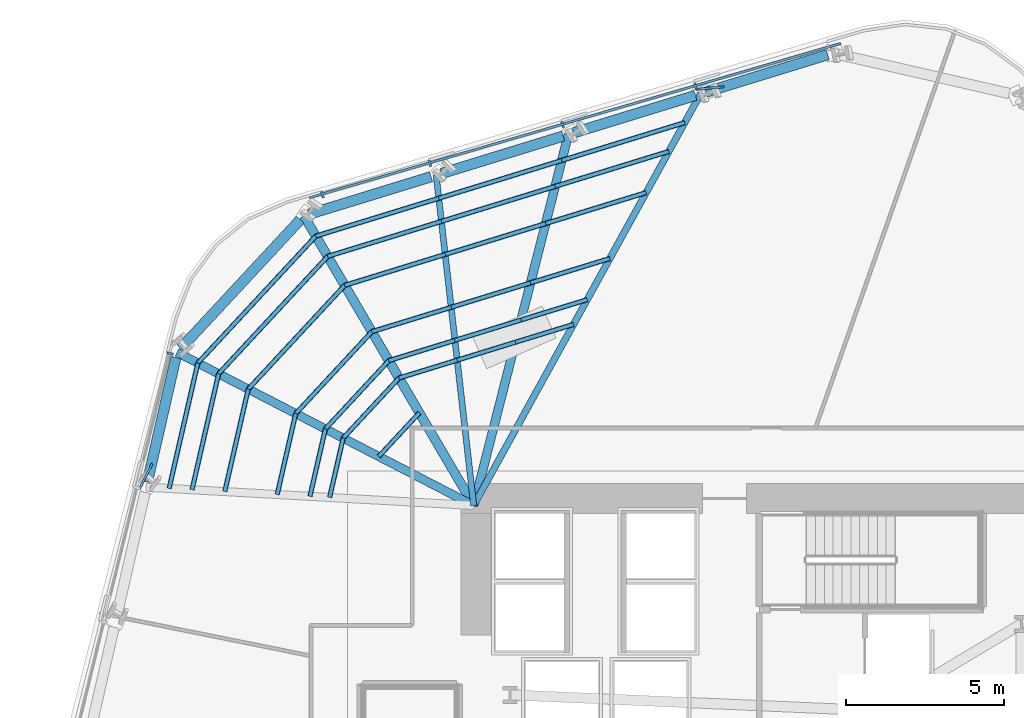
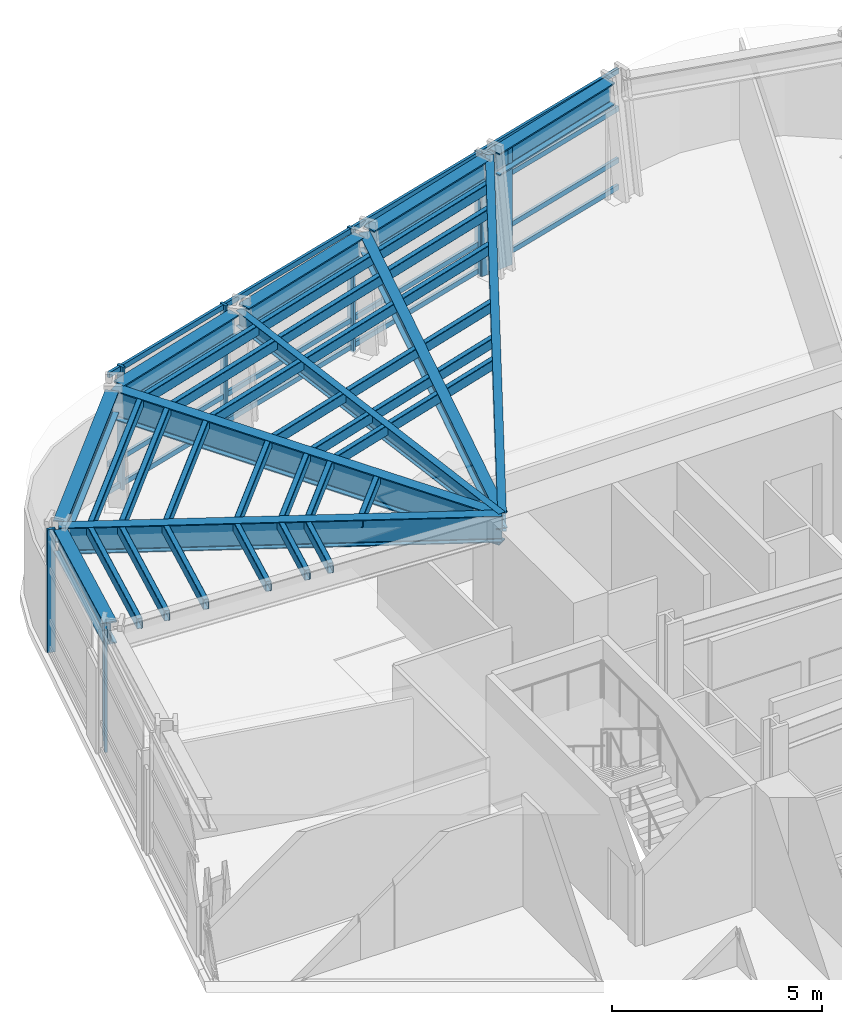
# One storey, part 5 of 15: 42 members, 11 beams, 2 elements without a shape of their own.
"""IFC4 building model written with IfcOpenShell, lengths in metres."""

from ifc_helpers import new_model, si_unit, direction, frame, origin, origin_2d, place, context, subcontext, project, spatial, rectangle, hollow_rectangle, i_section, extrude, material, layer, layer_set, material_profile, profile_set, type_object, element, aggregate, save


model = new_model("IFC4")

# Units and contexts
model_context = context("Model", 3, precision=1e-05, world=origin(), true_north=direction((0.0, 1.0)))
body_context = subcontext(model_context, "Body", "Model", "MODEL_VIEW")
ifc_project = project(units=[si_unit("LENGTHUNIT", "METRE"), si_unit("AREAUNIT", "SQUARE_METRE"), si_unit("VOLUMEUNIT", "CUBIC_METRE"), si_unit("PLANEANGLEUNIT", "RADIAN"), si_unit("MASSUNIT", "GRAM", prefix="KILO")], contexts=[model_context])

# Site, building, storey
site_placement = place(None, origin())
site = spatial("IfcSite", under=ifc_project, at=site_placement, CompositionType="ELEMENT")
building_placement = place(site_placement, origin())
building = spatial("IfcBuilding", under=site, at=building_placement, Name="Valkerne Bourse Tower", CompositionType="ELEMENT")
storey_placement = place(building_placement, frame((0.0, 0.0, 93.39990234375)))
storey = spatial("IfcBuildingStorey", under=building, at=storey_placement, Name="L23", CompositionType="ELEMENT", Elevation=93.39990234375)

# Beams
ifc_material_1 = material(Name="Steel ASTM A992", Category="steel")
ifc_material_profile_1 = material_profile(ifc_material_1, i_section(OverallWidth=0.1904296875, OverallDepth=0.457275390625, WebThickness=0.009033203125, FlangeThickness=0.014404296875, FilletRadius=0.01513671875, at=origin_2d()), Name="W18X50")
ifc_profile_set_1 = profile_set([ifc_material_profile_1], Name="Steel ASTM A992")
beam_type_1 = type_object("IfcBeamType", Name="BM-W18X50", PredefinedType="JOIST", material=ifc_profile_set_1)
beam_1_placement = place(storey_placement, frame((36.41015625, 45.86669921875, 3.3515625), z_axis=(0.112959608982, -0.993599580686, 0.0), x_axis=(0.993599580686, 0.112959608982, 0.0)))
element("IfcBeam", 1, at=beam_1_placement, inside=storey, type_object=beam_type_1, Name="L23 Radial Composite Floor Beam 08", PredefinedType="JOIST", context=body_context, shape_type="SweptSolid", body=[
    extrude(i_section(OverallWidth=0.1904296875, OverallDepth=0.457275390625, WebThickness=0.009033203125, FlangeThickness=0.014404296875, FilletRadius=0.01513671875, at=origin_2d()), origin(), (0.0, 0.0, 1.0), 10.5341796875),
])
ifc_material_profile_2 = material_profile(ifc_material_1, i_section(OverallWidth=0.279296875, OverallDepth=0.46240234375, WebThickness=0.0107421875, FlangeThickness=0.017333984375, FilletRadius=0.017822265625, at=origin_2d()), Name="W18X76")
ifc_profile_set_2 = profile_set([ifc_material_profile_2], Name="Steel ASTM A992")
beam_type_2 = type_object("IfcBeamType", Name="BM-W18X76", PredefinedType="BEAM", material=ifc_profile_set_2)
beam_2_placement = place(storey_placement, frame((40.599365234375, 47.155517578125, 3.348876953125), z_axis=(-0.247215626617, -0.968960491432, 0.0), x_axis=(0.968960491432, -0.247215626617, 0.0)))
element("IfcBeam", 2, at=beam_2_placement, inside=storey, type_object=beam_type_2, Name="L23 Radial Composite Floor Beam 07", PredefinedType="BEAM", context=body_context, shape_type="SweptSolid", body=[
    extrude(i_section(OverallWidth=0.279296875, OverallDepth=0.46240234375, WebThickness=0.0107421875, FlangeThickness=0.017333984375, FilletRadius=0.017822265625, at=origin_2d()), origin(), (0.0, 0.0, 1.0), 12.132080078125),
])
ifc_material_profile_3 = material_profile(ifc_material_1, i_section(OverallWidth=0.209228515625, OverallDepth=0.533447265625, WebThickness=0.01025390625, FlangeThickness=0.015625, FilletRadius=0.017822265625, at=origin_2d()), Name="W21X62")
ifc_profile_set_3 = profile_set([ifc_material_profile_3], Name="Steel ASTM A992")
beam_type_3 = type_object("IfcBeamType", Name="BM-W21X62", PredefinedType="JOIST", material=ifc_profile_set_3)
beam_3_placement = place(storey_placement, frame((44.78857421875, 48.4443359375, 3.3134765625), z_axis=(-0.482642218841, -0.875817611488, 0.0), x_axis=(0.875817611488, -0.482642218841, 0.0)))
element("IfcBeam", 3, at=beam_3_placement, inside=storey, type_object=beam_type_3, Name="L23 Radial Composite Floor Beam 06", PredefinedType="JOIST", context=body_context, shape_type="SweptSolid", body=[
    extrude(i_section(OverallWidth=0.209228515625, OverallDepth=0.533447265625, WebThickness=0.01025390625, FlangeThickness=0.015625, FilletRadius=0.017822265625, at=origin_2d()), origin(), (0.0, 0.0, 1.0), 14.89404296875),
])
ifc_material_profile_4 = material_profile(ifc_material_1, i_section(OverallWidth=0.330078125, OverallDepth=0.647705078125, WebThickness=0.0205078125, FlangeThickness=0.037109375, FilletRadius=0.020263671875, at=origin_2d()), Name="W24X192")
ifc_profile_set_4 = profile_set([ifc_material_profile_4], Name="Steel ASTM A992")
beam_type_4 = type_object("IfcBeamType", Name="BM-W24X192", PredefinedType="SPANDREL", material=ifc_profile_set_4)
beam_4_placement = place(storey_placement, frame((48.815185546875, 49.68310546875, 3.25634765625), z_axis=(-0.955793370622, -0.294039168608, 0.0), x_axis=(0.294039168608, -0.955793370622, 0.0)))
element("IfcBeam", 4, at=beam_4_placement, inside=storey, type_object=beam_type_4, Name="L23 Hexagonal Spandrel Ring Beam 05", PredefinedType="SPANDREL", context=body_context, shape_type="SweptSolid", body=[
    extrude(i_section(OverallWidth=0.330078125, OverallDepth=0.647705078125, WebThickness=0.0205078125, FlangeThickness=0.037109375, FilletRadius=0.020263671875, at=origin_2d()), origin(), (0.0, 0.0, 1.0), 4.042724609375),
])
beam_5_placement = place(storey_placement, frame((44.626220703125, 48.394287109375, 3.25634765625), z_axis=(-0.955798591435, -0.294022197479, 0.0), x_axis=(0.294022197479, -0.955798591435, 0.0)))
element("IfcBeam", 5, at=beam_5_placement, inside=storey, type_object=beam_type_4, Name="L23 Hexagonal Spandrel Ring Beam 06", PredefinedType="SPANDREL", context=body_context, shape_type="SweptSolid", body=[
    extrude(i_section(OverallWidth=0.330078125, OverallDepth=0.647705078125, WebThickness=0.0205078125, FlangeThickness=0.037109375, FilletRadius=0.020263671875, at=origin_2d()), origin(), (0.0, 0.0, 1.0), 4.04296875),
])
beam_6_placement = place(storey_placement, frame((40.43701171875, 47.10546875, 3.25634765625), z_axis=(-0.955803811345, -0.294005228216, 0.0), x_axis=(0.294005228216, -0.955803811345, 0.0)))
element("IfcBeam", 6, at=beam_6_placement, inside=storey, type_object=beam_type_4, Name="L23 Hexagonal Spandrel Ring Beam 07", PredefinedType="SPANDREL", context=body_context, shape_type="SweptSolid", body=[
    extrude(i_section(OverallWidth=0.330078125, OverallDepth=0.647705078125, WebThickness=0.0205078125, FlangeThickness=0.037109375, FilletRadius=0.020263671875, at=origin_2d()), origin(), (0.0, 0.0, 1.0), 4.043212890625),
])
beam_7_placement = place(storey_placement, frame((36.24755859375, 45.816650390625, 3.25634765625), z_axis=(-0.955798591435, -0.294022197479, 0.0), x_axis=(0.294022197479, -0.955798591435, 0.0)))
element("IfcBeam", 7, at=beam_7_placement, inside=storey, type_object=beam_type_4, Name="L23 Hexagonal Spandrel Ring Beam 08", PredefinedType="SPANDREL", context=body_context, shape_type="SweptSolid", body=[
    extrude(i_section(OverallWidth=0.330078125, OverallDepth=0.647705078125, WebThickness=0.0205078125, FlangeThickness=0.037109375, FilletRadius=0.020263671875, at=origin_2d()), origin(), (0.0, 0.0, 1.0), 4.04296875),
])
beam_8_placement = place(storey_placement, frame((32.105224609375, 44.453369140625, 3.25634765625), z_axis=(-0.680747222572, -0.732518408615, 0.0), x_axis=(0.732518408615, -0.680747222572, 0.0)))
element("IfcBeam", 8, at=beam_8_placement, inside=storey, type_object=beam_type_4, Name="L23 Hexagonal Spandrel Ring Beam 09", PredefinedType="SPANDREL", context=body_context, shape_type="SweptSolid", body=[
    extrude(i_section(OverallWidth=0.330078125, OverallDepth=0.647705078125, WebThickness=0.0205078125, FlangeThickness=0.037109375, FilletRadius=0.020263671875, at=origin_2d()), origin(), (0.0, 0.0, 1.0), 5.564697265625),
])
beam_9_placement = place(storey_placement, frame((28.16357421875, 40.0869140625, 3.25634765625), z_axis=(-0.22324945453, -0.97476134569, 0.0), x_axis=(0.97476134569, -0.22324945453, 0.0)))
element("IfcBeam", 9, at=beam_9_placement, inside=storey, type_object=beam_type_4, Name="L23 Hexagonal Spandrel Ring Beam 10", PredefinedType="SPANDREL", context=body_context, shape_type="SweptSolid", body=[
    extrude(i_section(OverallWidth=0.330078125, OverallDepth=0.647705078125, WebThickness=0.0205078125, FlangeThickness=0.037109375, FilletRadius=0.020263671875, at=origin_2d()), origin(), (0.0, 0.0, 1.0), 4.04296875),
])
ifc_material_profile_5 = material_profile(ifc_material_1, i_section(OverallWidth=0.26806640625, OverallDepth=0.76953125, WebThickness=0.015625, FlangeThickness=0.025390625, FilletRadius=0.025390625, at=origin_2d()), Name="W30X132")
ifc_profile_set_5 = profile_set([ifc_material_profile_5], Name="Steel ASTM A992")
beam_type_5 = type_object("IfcBeamType", Name="BM-W30X132", PredefinedType="BEAM", material=ifc_profile_set_5)
beam_10_placement = place(storey_placement, frame((28.201416015625, 40.252685546875, 3.1953125), z_axis=(0.888549336069, -0.458781077826, 0.0), x_axis=(0.458781077826, 0.888549336069, 0.0)))
element("IfcBeam", 10, at=beam_10_placement, inside=storey, type_object=beam_type_5, Name="L23 Radial Composite Floor Beam 10", PredefinedType="BEAM", context=body_context, shape_type="SweptSolid", body=[
    extrude(i_section(OverallWidth=0.26806640625, OverallDepth=0.76953125, WebThickness=0.015625, FlangeThickness=0.025390625, FilletRadius=0.025390625, at=origin_2d()), origin(), (0.0, 0.0, 1.0), 10.57763671875),
])
ifc_material_profile_6 = material_profile(ifc_material_1, i_section(OverallWidth=0.2919921875, OverallDepth=0.8583984375, WebThickness=0.01708984375, FlangeThickness=0.031005859375, FilletRadius=0.025390625, at=origin_2d()), Name="W33X169")
ifc_profile_set_6 = profile_set([ifc_material_profile_6], Name="Steel ASTM A992")
beam_type_6 = type_object("IfcBeamType", Name="BM-W33X169", PredefinedType="BEAM", material=ifc_profile_set_6)
beam_11_placement = place(storey_placement, frame((32.220947265625, 44.577880859375, 3.15087890625), z_axis=(0.505646465667, -0.862740779005, 0.0), x_axis=(0.862740779005, 0.505646465667, 0.0)))
element("IfcBeam", 11, at=beam_11_placement, inside=storey, type_object=beam_type_6, Name="L23 Radial Composite Floor Beam 09", PredefinedType="BEAM", context=body_context, shape_type="SweptSolid", body=[
    extrude(i_section(OverallWidth=0.2919921875, OverallDepth=0.8583984375, WebThickness=0.01708984375, FlangeThickness=0.031005859375, FilletRadius=0.025390625, at=origin_2d()), origin(), (0.0, 0.0, 1.0), 10.63818359375),
])

# Curtain wall, members
ifc_material_2 = material(Name="Aluminium AA 6063-T6", Category="aluminium")
ifc_layer = layer(ifc_material_2, 0.22998046875)
ifc_layer_set = layer_set([ifc_layer], Name="Aluminium AA 6063-T6")
curtain_wall_type = type_object("IfcCurtainWallType", Name="CW-02", PredefinedType="NOTDEFINED", material=ifc_layer_set)
curtain_wall_1_placement = place(storey_placement, origin())
curtain_wall_1 = element("IfcCurtainWall", 12, at=curtain_wall_1_placement, inside=storey, type_object=curtain_wall_type, Name="L23 Hexagonal Stick Curtain Wall Face 2", PredefinedType="NOTDEFINED")
ifc_material_profile_7 = material_profile(ifc_material_2, rectangle(XDim=0.074951171875, YDim=0.199951171875, at=origin_2d()), Name="CWM-75X200")
ifc_profile_set_7 = profile_set([ifc_material_profile_7], Name="Aluminium AA 6063-T6")
member_type_1 = type_object("IfcMemberType", Name="CW-MUL-220X75", PredefinedType="MULLION", material=ifc_profile_set_7)
member_1_placement = place(storey_placement, frame((44.62744140625, 48.6826171875, 0.0), z_axis=(0.0, 0.0, 1.0), x_axis=(-0.960295369044, -0.278985311785, 0.0)))
member_1 = element("IfcMember", 13, at=member_1_placement, type_object=member_type_1, Name="CW-L23-F2 Jamb Mullion 01A", PredefinedType="MULLION", context=body_context, shape_type="SweptSolid", body=[
    extrude(rectangle(XDim=0.074951171875, YDim=0.199951171875, at=origin_2d()), origin(), (0.0, 0.0, 1.0), 3.580078125),
])
member_2_placement = place(storey_placement, frame((40.41845703125, 47.459716796875, 0.0), z_axis=(0.0, 0.0, 1.0), x_axis=(-0.960295369044, -0.278985311785, 0.0)))
member_2 = element("IfcMember", 14, at=member_2_placement, type_object=member_type_1, Name="CW-L23-F2 Jamb Mullion 02A", PredefinedType="MULLION", context=body_context, shape_type="SweptSolid", body=[
    extrude(rectangle(XDim=0.074951171875, YDim=0.199951171875, at=origin_2d()), origin(), (0.0, 0.0, 1.0), 3.580078125),
])
member_3_placement = place(storey_placement, frame((36.20947265625, 46.23681640625, 0.0), z_axis=(0.0, 0.0, 1.0), x_axis=(-0.960293593209, -0.278991424317, 0.0)))
member_3 = element("IfcMember", 15, at=member_3_placement, type_object=member_type_1, Name="CW-L23-F2 Jamb Mullion 03A", PredefinedType="MULLION", context=body_context, shape_type="SweptSolid", body=[
    extrude(rectangle(XDim=0.074951171875, YDim=0.199951171875, at=origin_2d()), origin(), (0.0, 0.0, 1.0), 3.580078125),
])
member_4_placement = place(storey_placement, frame((32.807373046875, 45.24853515625, 0.0), z_axis=(0.0, 0.0, 1.0), x_axis=(-0.960293593209, -0.278991424317, 0.0)))
member_4 = element("IfcMember", 16, at=member_4_placement, type_object=member_type_1, Name="CW-L23-F2 Jamb Mullion 03B", PredefinedType="MULLION", context=body_context, shape_type="SweptSolid", body=[
    extrude(rectangle(XDim=0.074951171875, YDim=0.199951171875, at=origin_2d()), origin(), (0.0, 0.0, 1.0), 3.580078125),
])

# Curtain wall, member
curtain_wall_2_placement = place(storey_placement, origin())
curtain_wall_2 = element("IfcCurtainWall", 17, at=curtain_wall_2_placement, inside=storey, type_object=curtain_wall_type, Name="L23 Hexagonal Stick Curtain Wall Face 3", PredefinedType="NOTDEFINED")
member_5_placement = place(storey_placement, frame((27.981689453125, 40.21630859375, 0.0), z_axis=(0.0, 0.0, 1.0), x_axis=(-0.238534172678, -0.971134104264, 0.0)))
member_5 = element("IfcMember", 18, at=member_5_placement, type_object=member_type_1, Name="CW-L23-F3 Jamb Mullion 00A", PredefinedType="MULLION", context=body_context, shape_type="SweptSolid", body=[
    extrude(rectangle(XDim=0.074951171875, YDim=0.199951171875, at=origin_2d()), origin(), (0.0, 0.0, 1.0), 3.580078125),
])
aggregate(curtain_wall_2, [member_5])

# Member
ifc_material_profile_8 = material_profile(ifc_material_2, rectangle(XDim=0.074951171875, YDim=0.14990234375, at=origin_2d()), Name="CWT-75X150")
ifc_profile_set_8 = profile_set([ifc_material_profile_8], Name="Aluminium AA 6063-T6")
member_type_2 = type_object("IfcMemberType", Name="CW-TRN-180X65", PredefinedType="USERDEFINED", material=ifc_profile_set_8)
member_6_placement = place(storey_placement, frame((49.234130859375, 50.041748046875, 0.1201171875), z_axis=(-0.960291602026, -0.278998277913, 0.0), x_axis=(0.278998277913, -0.960291602026, 0.0)))
member_6 = element("IfcMember", 19, at=member_6_placement, type_object=member_type_2, Name="CW-L23-F2 Continuous Face Transom 1", ObjectType="TRANSOM", PredefinedType="USERDEFINED", context=body_context, shape_type="SweptSolid", body=[
    extrude(rectangle(XDim=0.074951171875, YDim=0.14990234375, at=origin_2d()), origin(), (0.0, 0.0, 1.0), 17.53173828125),
])

member_7_placement = place(storey_placement, frame((49.234130859375, 50.041748046875, 0.900146484375), z_axis=(-0.960291602026, -0.278998277913, 0.0), x_axis=(0.278998277913, -0.960291602026, 0.0)))
member_7 = element("IfcMember", 20, at=member_7_placement, type_object=member_type_2, Name="CW-L23-F2 Continuous Face Transom 2", ObjectType="TRANSOM", PredefinedType="USERDEFINED", context=body_context, shape_type="SweptSolid", body=[
    extrude(rectangle(XDim=0.074951171875, YDim=0.14990234375, at=origin_2d()), origin(), (0.0, 0.0, 1.0), 17.53173828125),
])

member_8_placement = place(storey_placement, frame((49.234130859375, 50.041748046875, 2.400146484375), z_axis=(-0.960291602026, -0.278998277913, 0.0), x_axis=(0.278998277913, -0.960291602026, 0.0)))
member_8 = element("IfcMember", 21, at=member_8_placement, type_object=member_type_2, Name="CW-L23-F2 Continuous Face Transom 3", ObjectType="TRANSOM", PredefinedType="USERDEFINED", context=body_context, shape_type="SweptSolid", body=[
    extrude(rectangle(XDim=0.074951171875, YDim=0.14990234375, at=origin_2d()), origin(), (0.0, 0.0, 1.0), 17.53173828125),
])

member_9_placement = place(storey_placement, frame((49.234130859375, 50.041748046875, 3.5), z_axis=(-0.960291602026, -0.278998277913, 0.0), x_axis=(0.278998277913, -0.960291602026, 0.0)))
member_9 = element("IfcMember", 22, at=member_9_placement, type_object=member_type_2, Name="CW-L23-F2 Continuous Face Transom 4", ObjectType="TRANSOM", PredefinedType="USERDEFINED", context=body_context, shape_type="SweptSolid", body=[
    extrude(rectangle(XDim=0.074951171875, YDim=0.14990234375, at=origin_2d()), origin(), (0.0, 0.0, 1.0), 17.53173828125),
])

aggregate(curtain_wall_1, [member_6, member_7, member_8, member_9, member_1, member_2, member_3, member_4])

# Members
ifc_material_3 = material(Name="Bronze Anodised Aluminium AA 6063-T6", Category="aluminium")
ifc_material_profile_9 = material_profile(ifc_material_3, rectangle(XDim=0.070068359375, YDim=0.89990234375, at=origin_2d()), Name="FIN-70X900")
ifc_profile_set_9 = profile_set([ifc_material_profile_9], Name="Bronze Anodised Aluminium AA 6063-T6")
member_type_3 = type_object("IfcMemberType", Name="FIN-SOLAR-900", PredefinedType="USERDEFINED", material=ifc_profile_set_9)
for number, where, z_axis, x_axis, name in (
    (23, (45.0810546875, 48.626708984375, 0.004150390625), (0.0, 0.0, 1.0), (-0.093516560177, 0.995617724316, 0.0), "L23 Bronze Anodised Solar Fin F2-01"),
    (24, (27.211181640625, 36.32470703125, 0.004150390625), (0.0, 0.0, 1.0), (-0.891827042632, 0.452376531255, 0.0), "L23 Bronze Anodised Solar Fin F3-01"),
):
    element("IfcMember", number, at=place(storey_placement, frame(where, z_axis=z_axis, x_axis=x_axis)), inside=storey, type_object=member_type_3, Name=name, ObjectType="SOLAR_FIN", PredefinedType="USERDEFINED", context=body_context, shape_type="SweptSolid", body=[
        extrude(rectangle(XDim=0.070068359375, YDim=0.89990234375, at=origin_2d()), origin(), (0.0, 0.0, 1.0), 3.572021484375),
    ])
ifc_material_4 = material(Name="Steel ASTM A500 Grade C", Category="steel")
ifc_material_profile_10 = material_profile(ifc_material_4, hollow_rectangle(XDim=0.14990234375, YDim=0.300048828125, WallThickness=0.012451171875, OuterFilletRadius=0.02490234375, at=origin_2d()), Name="HSS300X150X12.5")
ifc_profile_set_10 = profile_set([ifc_material_profile_10], Name="Steel ASTM A500 Grade C")
member_type_4 = type_object("IfcMemberType", Name="MBR-HSS300X150X12.5", PredefinedType="PURLIN", material=ifc_profile_set_10)
member_10_placement = place(storey_placement, frame((35.878662109375, 38.3369140625, 3.420166015625), z_axis=(-0.680723650455, -0.732540314052, 0.0), x_axis=(0.732540314052, -0.680723650455, 0.0)))
element("IfcMember", 25, at=member_10_placement, inside=storey, type_object=member_type_4, Name="L23 Secondary Composite Floor Purlin I-09", PredefinedType="PURLIN", context=body_context, shape_type="SweptSolid", body=[
    extrude(hollow_rectangle(XDim=0.14990234375, YDim=0.300048828125, WallThickness=0.012451171875, OuterFilletRadius=0.02490234375, at=origin_2d()), origin(), (0.0, 0.0, 1.0), 1.889404296875),
])
for number, where, z_axis, x_axis, name in (
    (26, (40.762939453125, 41.139404296875, 3.420166015625), (-0.955817322261, -0.293961300966, 0.0), (0.293961300966, -0.955817322261, 0.0), "L23 Secondary Composite Floor Purlin K-06"),
    (27, (38.919677734375, 40.572509765625, 3.420166015625), (-0.95578174584, -0.294076953058, 0.0), (0.294076953058, -0.95578174584, 0.0), "L23 Secondary Composite Floor Purlin K-07"),
    (28, (37.076416015625, 40.00537109375, 3.420166015625), (-0.95578174584, -0.294076953058, 0.0), (0.294076953058, -0.95578174584, 0.0), "L23 Secondary Composite Floor Purlin K-08"),
):
    element("IfcMember", number, at=place(storey_placement, frame(where, z_axis=z_axis, x_axis=x_axis)), inside=storey, type_object=member_type_4, Name=name, PredefinedType="PURLIN", context=body_context, shape_type="SweptSolid", body=[
        extrude(hollow_rectangle(XDim=0.14990234375, YDim=0.300048828125, WallThickness=0.012451171875, OuterFilletRadius=0.02490234375, at=origin_2d()), origin(), (0.0, 0.0, 1.0), 1.928466796875),
    ])
member_11_placement = place(storey_placement, frame((35.233154296875, 39.438232421875, 3.420166015625), z_axis=(-0.680743006423, -0.732522326763, 0.0), x_axis=(0.732522326763, -0.680743006423, 0.0)))
element("IfcMember", 29, at=member_11_placement, inside=storey, type_object=member_type_4, Name="L23 Secondary Composite Floor Purlin K-09", PredefinedType="PURLIN", context=body_context, shape_type="SweptSolid", body=[
    extrude(hollow_rectangle(XDim=0.14990234375, YDim=0.300048828125, WallThickness=0.012451171875, OuterFilletRadius=0.02490234375, at=origin_2d()), origin(), (0.0, 0.0, 1.0), 2.597900390625),
])
member_12_placement = place(storey_placement, frame((33.464599609375, 37.53515625, 3.420166015625), z_axis=(-0.223185712509, -0.974775942323, 0.0), x_axis=(0.974775942323, -0.223185712509, 0.0)))
element("IfcMember", 30, at=member_12_placement, inside=storey, type_object=member_type_4, Name="L23 Secondary Composite Floor Purlin K-10", PredefinedType="PURLIN", context=body_context, shape_type="SweptSolid", body=[
    extrude(hollow_rectangle(XDim=0.14990234375, YDim=0.300048828125, WallThickness=0.012451171875, OuterFilletRadius=0.02490234375, at=origin_2d()), origin(), (0.0, 0.0, 1.0), 1.928466796875),
])
for number, where, z_axis, x_axis, name in (
    (31, (41.1943359375, 41.922119140625, 3.420166015625), (-0.955779008722, -0.294085848838, 0.0), (0.294085848838, -0.955779008722, 0.0), "L23 Secondary Composite Floor Purlin M-06"),
    (32, (39.099609375, 41.277587890625, 3.420166015625), (-0.955810315682, -0.293984081944, 0.0), (0.293984081944, -0.955810315682, 0.0), "L23 Secondary Composite Floor Purlin M-07"),
):
    element("IfcMember", number, at=place(storey_placement, frame(where, z_axis=z_axis, x_axis=x_axis)), inside=storey, type_object=member_type_4, Name=name, PredefinedType="PURLIN", context=body_context, shape_type="SweptSolid", body=[
        extrude(hollow_rectangle(XDim=0.14990234375, YDim=0.300048828125, WallThickness=0.012451171875, OuterFilletRadius=0.02490234375, at=origin_2d()), origin(), (0.0, 0.0, 1.0), 2.191650390625),
    ])
member_13_placement = place(storey_placement, frame((37.0048828125, 40.63330078125, 3.420166015625), z_axis=(-0.955800686233, -0.294015387687, 0.0), x_axis=(0.294015387687, -0.955800686233, 0.0)))
element("IfcMember", 33, at=member_13_placement, inside=storey, type_object=member_type_4, Name="L23 Secondary Composite Floor Purlin M-08", PredefinedType="PURLIN", context=body_context, shape_type="SweptSolid", body=[
    extrude(hollow_rectangle(XDim=0.14990234375, YDim=0.300048828125, WallThickness=0.012451171875, OuterFilletRadius=0.02490234375, at=origin_2d()), origin(), (0.0, 0.0, 1.0), 2.19140625),
])
member_14_placement = place(storey_placement, frame((34.910400390625, 39.989013671875, 3.420166015625), z_axis=(-0.680704823369, -0.732557808942, 0.0), x_axis=(0.732557808942, -0.680704823369, 0.0)))
element("IfcMember", 34, at=member_14_placement, inside=storey, type_object=member_type_4, Name="L23 Secondary Composite Floor Purlin M-09", PredefinedType="PURLIN", context=body_context, shape_type="SweptSolid", body=[
    extrude(hollow_rectangle(XDim=0.14990234375, YDim=0.300048828125, WallThickness=0.012451171875, OuterFilletRadius=0.02490234375, at=origin_2d()), origin(), (0.0, 0.0, 1.0), 2.9521484375),
])
member_15_placement = place(storey_placement, frame((32.90087890625, 37.826416015625, 3.420166015625), z_axis=(-0.223248261088, -0.974761619023, 0.0), x_axis=(0.974761619023, -0.223248261088, 0.0)))
element("IfcMember", 35, at=member_15_placement, inside=storey, type_object=member_type_4, Name="L23 Secondary Composite Floor Purlin M-10", PredefinedType="PURLIN", context=body_context, shape_type="SweptSolid", body=[
    extrude(hollow_rectangle(XDim=0.14990234375, YDim=0.300048828125, WallThickness=0.012451171875, OuterFilletRadius=0.02490234375, at=origin_2d()), origin(), (0.0, 0.0, 1.0), 2.191650390625),
])
member_16_placement = place(storey_placement, frame((43.063232421875, 45.313720703125, 3.420166015625), z_axis=(-0.955791685246, -0.294044646975, 0.0), x_axis=(0.294044646975, -0.955791685246, 0.0)))
element("IfcMember", 36, at=member_16_placement, inside=storey, type_object=member_type_4, Name="L23 Secondary Composite Floor Purlin O-06", PredefinedType="PURLIN", context=body_context, shape_type="SweptSolid", body=[
    extrude(hollow_rectangle(XDim=0.14990234375, YDim=0.300048828125, WallThickness=0.012451171875, OuterFilletRadius=0.02490234375, at=origin_2d()), origin(), (0.0, 0.0, 1.0), 3.3310546875),
])
member_17_placement = place(storey_placement, frame((39.87939453125, 44.334228515625, 3.420166015625), z_axis=(-0.95578534765, -0.294065246532, 0.0), x_axis=(0.294065246532, -0.95578534765, 0.0)))
element("IfcMember", 37, at=member_17_placement, inside=storey, type_object=member_type_4, Name="L23 Secondary Composite Floor Purlin O-07", PredefinedType="PURLIN", context=body_context, shape_type="SweptSolid", body=[
    extrude(hollow_rectangle(XDim=0.14990234375, YDim=0.300048828125, WallThickness=0.012451171875, OuterFilletRadius=0.02490234375, at=origin_2d()), origin(), (0.0, 0.0, 1.0), 3.330810546875),
])
member_18_placement = place(storey_placement, frame((36.69580078125, 43.354736328125, 3.420166015625), z_axis=(-0.955791685246, -0.294044646975, 0.0), x_axis=(0.294044646975, -0.955791685246, 0.0)))
element("IfcMember", 38, at=member_18_placement, inside=storey, type_object=member_type_4, Name="L23 Secondary Composite Floor Purlin O-08", PredefinedType="PURLIN", context=body_context, shape_type="SweptSolid", body=[
    extrude(hollow_rectangle(XDim=0.14990234375, YDim=0.300048828125, WallThickness=0.012451171875, OuterFilletRadius=0.02490234375, at=origin_2d()), origin(), (0.0, 0.0, 1.0), 3.3310546875),
])
member_19_placement = place(storey_placement, frame((33.511962890625, 42.375244140625, 3.420166015625), z_axis=(-0.680736920892, -0.732527982083, 0.0), x_axis=(0.732527982083, -0.680736920892, 0.0)))
element("IfcMember", 39, at=member_19_placement, inside=storey, type_object=member_type_4, Name="L23 Secondary Composite Floor Purlin O-09", PredefinedType="PURLIN", context=body_context, shape_type="SweptSolid", body=[
    extrude(hollow_rectangle(XDim=0.14990234375, YDim=0.300048828125, WallThickness=0.012451171875, OuterFilletRadius=0.02490234375, at=origin_2d()), origin(), (0.0, 0.0, 1.0), 4.48779296875),
])
member_20_placement = place(storey_placement, frame((30.45703125, 39.087890625, 3.420166015625), z_axis=(-0.223258639819, -0.974759241939, 0.0), x_axis=(0.974759241939, -0.223258639819, 0.0)))
element("IfcMember", 40, at=member_20_placement, inside=storey, type_object=member_type_4, Name="L23 Secondary Composite Floor Purlin O-10", PredefinedType="PURLIN", context=body_context, shape_type="SweptSolid", body=[
    extrude(hollow_rectangle(XDim=0.14990234375, YDim=0.300048828125, WallThickness=0.012451171875, OuterFilletRadius=0.02490234375, at=origin_2d()), origin(), (0.0, 0.0, 1.0), 3.330810546875),
])
member_21_placement = place(storey_placement, frame((41.9130859375, 43.2265625, 3.420166015625), z_axis=(-0.955797073256, -0.294027132686, 0.0), x_axis=(0.294027132686, -0.955797073256, 0.0)))
element("IfcMember", 41, at=member_21_placement, inside=storey, type_object=member_type_4, Name="L23 Secondary Composite Floor Purlin Z-06", PredefinedType="PURLIN", context=body_context, shape_type="SweptSolid", body=[
    extrude(hollow_rectangle(XDim=0.14990234375, YDim=0.300048828125, WallThickness=0.012451171875, OuterFilletRadius=0.02490234375, at=origin_2d()), origin(), (0.0, 0.0, 1.0), 2.629638671875),
])
member_22_placement = place(storey_placement, frame((39.399658203125, 42.453369140625, 3.420166015625), z_axis=(-0.955779008722, -0.294085848838, 0.0), x_axis=(0.294085848838, -0.955779008722, 0.0)))
element("IfcMember", 42, at=member_22_placement, inside=storey, type_object=member_type_4, Name="L23 Secondary Composite Floor Purlin Z-07", PredefinedType="PURLIN", context=body_context, shape_type="SweptSolid", body=[
    extrude(hollow_rectangle(XDim=0.14990234375, YDim=0.300048828125, WallThickness=0.012451171875, OuterFilletRadius=0.02490234375, at=origin_2d()), origin(), (0.0, 0.0, 1.0), 2.6298828125),
])
member_23_placement = place(storey_placement, frame((36.885986328125, 41.679931640625, 3.420166015625), z_axis=(-0.955797073256, -0.294027132686, 0.0), x_axis=(0.294027132686, -0.955797073256, 0.0)))
element("IfcMember", 43, at=member_23_placement, inside=storey, type_object=member_type_4, Name="L23 Secondary Composite Floor Purlin Z-08", PredefinedType="PURLIN", context=body_context, shape_type="SweptSolid", body=[
    extrude(hollow_rectangle(XDim=0.14990234375, YDim=0.300048828125, WallThickness=0.012451171875, OuterFilletRadius=0.02490234375, at=origin_2d()), origin(), (0.0, 0.0, 1.0), 2.629638671875),
])
member_24_placement = place(storey_placement, frame((34.37255859375, 40.90673828125, 3.420166015625), z_axis=(-0.680720662852, -0.732543090314, 0.0), x_axis=(0.732543090314, -0.680720662852, 0.0)))
element("IfcMember", 44, at=member_24_placement, inside=storey, type_object=member_type_4, Name="L23 Secondary Composite Floor Purlin Z-09", PredefinedType="PURLIN", context=body_context, shape_type="SweptSolid", body=[
    extrude(hollow_rectangle(XDim=0.14990234375, YDim=0.300048828125, WallThickness=0.012451171875, OuterFilletRadius=0.02490234375, at=origin_2d()), origin(), (0.0, 0.0, 1.0), 3.542724609375),
])
member_25_placement = place(storey_placement, frame((31.9609375, 38.3115234375, 3.420166015625), z_axis=(-0.223265902497, -0.974757578469, 0.0), x_axis=(0.974757578469, -0.223265902497, 0.0)))
element("IfcMember", 45, at=member_25_placement, inside=storey, type_object=member_type_4, Name="L23 Secondary Composite Floor Purlin Z-10", PredefinedType="PURLIN", context=body_context, shape_type="SweptSolid", body=[
    extrude(hollow_rectangle(XDim=0.14990234375, YDim=0.300048828125, WallThickness=0.012451171875, OuterFilletRadius=0.02490234375, at=origin_2d()), origin(), (0.0, 0.0, 1.0), 2.6298828125),
])
for number, where, z_axis, x_axis, name in (
    (46, (43.7822265625, 46.6181640625, 3.420166015625), (-0.955790211245, -0.294049438169, 0.0), (0.294049438169, -0.955790211245, 0.0), "L23 Secondary Composite Floor Purlin T-06"),
    (47, (40.179443359375, 45.509765625, 3.420166015625), (-0.955790211245, -0.294049438169, 0.0), (0.294049438169, -0.955790211245, 0.0), "L23 Secondary Composite Floor Purlin T-07"),
):
    element("IfcMember", number, at=place(storey_placement, frame(where, z_axis=z_axis, x_axis=x_axis)), inside=storey, type_object=member_type_4, Name=name, PredefinedType="PURLIN", context=body_context, shape_type="SweptSolid", body=[
        extrude(hollow_rectangle(XDim=0.14990234375, YDim=0.300048828125, WallThickness=0.012451171875, OuterFilletRadius=0.02490234375, at=origin_2d()), origin(), (0.0, 0.0, 1.0), 3.76953125),
    ])
member_26_placement = place(storey_placement, frame((36.57666015625, 44.4013671875, 3.420166015625), z_axis=(-0.955784610504, -0.294067642429, 0.0), x_axis=(0.294067642429, -0.955784610504, 0.0)))
element("IfcMember", 48, at=member_26_placement, inside=storey, type_object=member_type_4, Name="L23 Secondary Composite Floor Purlin T-08", PredefinedType="PURLIN", context=body_context, shape_type="SweptSolid", body=[
    extrude(hollow_rectangle(XDim=0.14990234375, YDim=0.300048828125, WallThickness=0.012451171875, OuterFilletRadius=0.02490234375, at=origin_2d()), origin(), (0.0, 0.0, 1.0), 3.769287109375),
])
member_27_placement = place(storey_placement, frame((32.97412109375, 43.29296875, 3.420166015625), z_axis=(-0.680742414004, -0.732522877305, 0.0), x_axis=(0.732522877305, -0.680742414004, 0.0)))
element("IfcMember", 49, at=member_27_placement, inside=storey, type_object=member_type_4, Name="L23 Secondary Composite Floor Purlin T-09", PredefinedType="PURLIN", context=body_context, shape_type="SweptSolid", body=[
    extrude(hollow_rectangle(XDim=0.14990234375, YDim=0.300048828125, WallThickness=0.012451171875, OuterFilletRadius=0.02490234375, at=origin_2d()), origin(), (0.0, 0.0, 1.0), 5.077880859375),
])
member_28_placement = place(storey_placement, frame((29.517333984375, 39.5732421875, 3.420166015625), z_axis=(-0.223255645891, -0.974759927663, 0.0), x_axis=(0.974759927663, -0.223255645891, 0.0)))
element("IfcMember", 50, at=member_28_placement, inside=storey, type_object=member_type_4, Name="L23 Secondary Composite Floor Purlin T-10", PredefinedType="PURLIN", context=body_context, shape_type="SweptSolid", body=[
    extrude(hollow_rectangle(XDim=0.14990234375, YDim=0.300048828125, WallThickness=0.012451171875, OuterFilletRadius=0.02490234375, at=origin_2d()), origin(), (0.0, 0.0, 1.0), 3.76953125),
])
for number, where, z_axis, x_axis, name in (
    (51, (44.285400390625, 47.53125, 3.420166015625), (-0.955781598677, -0.294077431351, 0.0), (0.294077431351, -0.955781598677, 0.0), "L23 Secondary Composite Floor Purlin U-06"),
    (52, (40.389404296875, 46.33251953125, 3.420166015625), (-0.955798431921, -0.294022716023, 0.0), (0.294022716023, -0.955798431921, 0.0), "L23 Secondary Composite Floor Purlin U-07"),
    (53, (36.493408203125, 45.134033203125, 3.420166015625), (-0.955781598677, -0.294077431351, 0.0), (0.294077431351, -0.955781598677, 0.0), "L23 Secondary Composite Floor Purlin U-08"),
):
    element("IfcMember", number, at=place(storey_placement, frame(where, z_axis=z_axis, x_axis=x_axis)), inside=storey, type_object=member_type_4, Name=name, PredefinedType="PURLIN", context=body_context, shape_type="SweptSolid", body=[
        extrude(hollow_rectangle(XDim=0.14990234375, YDim=0.300048828125, WallThickness=0.012451171875, OuterFilletRadius=0.02490234375, at=origin_2d()), origin(), (0.0, 0.0, 1.0), 4.076171875),
    ])
member_29_placement = place(storey_placement, frame((32.597412109375, 43.935302734375, 3.420166015625), z_axis=(-0.680734133837, -0.732530572078, 0.0), x_axis=(0.732530572078, -0.680734133837, 0.0)))
element("IfcMember", 54, at=member_29_placement, inside=storey, type_object=member_type_4, Name="L23 Secondary Composite Floor Purlin U-09", PredefinedType="PURLIN", context=body_context, shape_type="SweptSolid", body=[
    extrude(hollow_rectangle(XDim=0.14990234375, YDim=0.300048828125, WallThickness=0.012451171875, OuterFilletRadius=0.02490234375, at=origin_2d()), origin(), (0.0, 0.0, 1.0), 5.4912109375),
])
member_30_placement = place(storey_placement, frame((28.859375, 39.912841796875, 3.420166015625), z_axis=(-0.223236254312, -0.97476436884, 0.0), x_axis=(0.97476436884, -0.223236254312, 0.0)))
element("IfcMember", 55, at=member_30_placement, inside=storey, type_object=member_type_4, Name="L23 Secondary Composite Floor Purlin U-10", PredefinedType="PURLIN", context=body_context, shape_type="SweptSolid", body=[
    extrude(hollow_rectangle(XDim=0.14990234375, YDim=0.300048828125, WallThickness=0.012451171875, OuterFilletRadius=0.02490234375, at=origin_2d()), origin(), (0.0, 0.0, 1.0), 4.075927734375),
])

save(model, "model.ifc")
